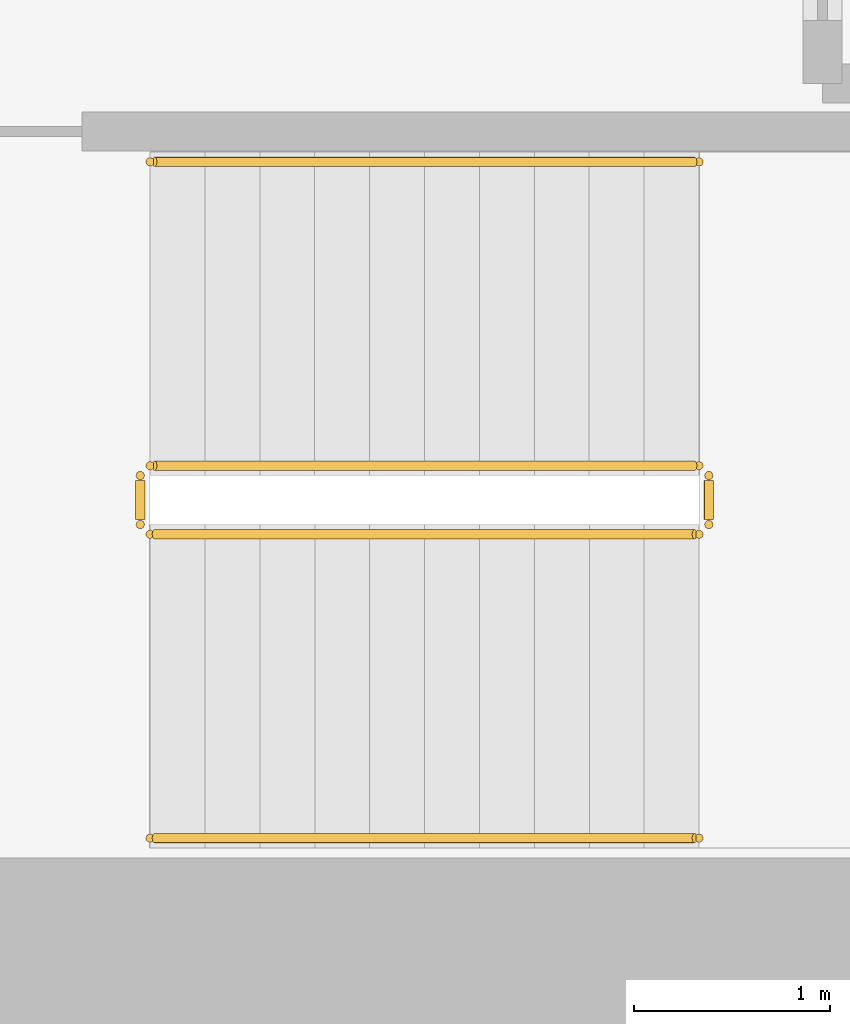
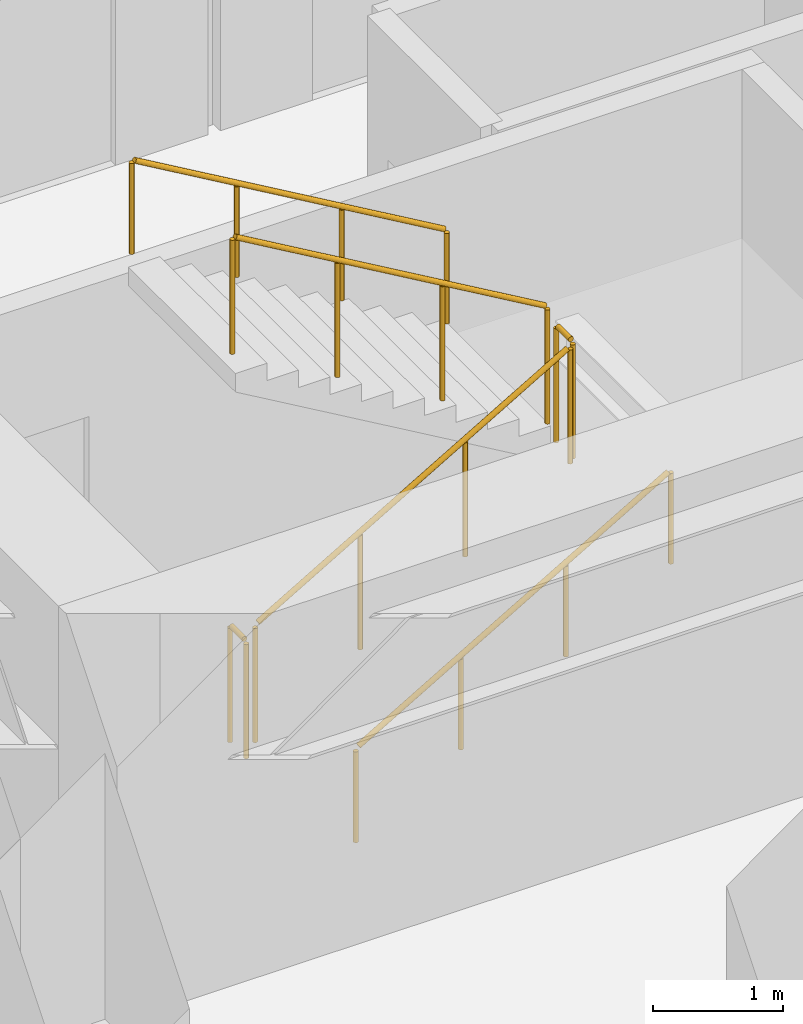
# One storey, part 12 of 12: 6 railings.
"""IFC4 building model written with IfcOpenShell, lengths in metres."""

from ifc_helpers import new_model, si_unit, direction, frame, origin, origin_2d, place, context, subcontext, project, spatial, circle, extrude, source, transform, mapped, material, layer, layer_set, type_object, element, save


model = new_model("IFC4")

# Units and contexts
model_context = context("Model", 3, precision=1e-05, world=origin(), true_north=direction((0.0, 1.0)))
body_context = subcontext(model_context, "Body", "Model", "MODEL_VIEW")
ifc_project = project(units=[si_unit("LENGTHUNIT", "METRE"), si_unit("AREAUNIT", "SQUARE_METRE"), si_unit("VOLUMEUNIT", "CUBIC_METRE"), si_unit("PLANEANGLEUNIT", "RADIAN"), si_unit("MASSUNIT", "GRAM", prefix="KILO")], contexts=[model_context])

# Site, building, storey
site_placement = place(None, origin())
site = spatial("IfcSite", under=ifc_project, at=site_placement, CompositionType="ELEMENT")
building_placement = place(site_placement, origin())
building = spatial("IfcBuilding", under=site, at=building_placement, Name="Kharzan Plaza Tower", CompositionType="ELEMENT")
storey_placement = place(building_placement, frame((0.0, 0.0, 33.300048828125)))
storey = spatial("IfcBuildingStorey", under=building, at=storey_placement, Name="L08", CompositionType="ELEMENT", Elevation=33.300048828125)

# Railings
ifc_material_1 = material(Name="Painted Galvanized Architectural Steel", Category="steel")
ifc_layer_1 = layer(ifc_material_1, 0.074951171875)
ifc_layer_set_1 = layer_set([ifc_layer_1], Name="Painted Galvanized Architectural Steel")
railing_type_1 = type_object("IfcRailingType", Name="RL-GUARD-1120", PredefinedType="BALUSTRADE", material=ifc_layer_set_1)
shared_shape_1 = source(origin(), body_context, "Body", "SweptSolid", [
    extrude(circle(Radius=0.02392578125, at=origin_2d()), frame((0.0, 0.0263671875, 1.09619140625), z_axis=(0.0, 1.0, 0.0), x_axis=(-1.0, 0.0, 0.0)), (0.0, 0.0, 1.0), 0.197021484375),
    extrude(circle(Radius=0.02099609375, at=origin_2d()), origin(), (0.0, 0.0, 1.0), 1.072021484375),
    extrude(circle(Radius=0.02099609375, at=origin_2d()), frame((0.0, 0.25, 0.0)), (0.0, 0.0, 1.0), 1.072021484375),
])
for number, where, name in (
    (1, (41.10009765625, 6.64990234375, 1.800048828125), "L08 ST-3 stair guard 2"),
    (2, (38.199951171875, 6.64990234375, 0.0), "L08 ST-3 stair guard 4"),
):
    element("IfcRailing", number, at=place(storey_placement, frame(where)), inside=storey, type_object=railing_type_1, Name=name, PredefinedType="BALUSTRADE", context=body_context, shape_type="MappedRepresentation", body=[
        mapped(shared_shape_1, transform((0.0, 0.0, 0.0), x_axis=(1.0, 0.0, 0.0), y_axis=(0.0, 1.0, 0.0), z_axis=(0.0, 0.0, 1.0))),
    ])
shared_shape_2 = source(origin(), body_context, "Body", "SweptSolid", [
    extrude(circle(Radius=0.02392578125, at=origin_2d()), frame((0.02294921875, 0.0, 1.109375), z_axis=(0.863360870873, 0.0, 0.504586966384), x_axis=(0.0, 1.0, 0.0)), (0.0, 0.0, 1.0), 3.190185546875),
    extrude(circle(Radius=0.02099609375, at=origin_2d()), origin(), (0.0, 0.0, 1.0), 1.072021484375),
    extrude(circle(Radius=0.02099609375, at=origin_2d()), frame((0.933349609375, 0.0, 0.54541015625)), (0.0, 0.0, 1.0), 1.072021484375),
    extrude(circle(Radius=0.02099609375, at=origin_2d()), frame((1.86669921875, 0.0, 1.091064453125)), (0.0, 0.0, 1.0), 1.072021484375),
    extrude(circle(Radius=0.02099609375, at=origin_2d()), frame((2.800048828125, 0.0, 1.636474609375)), (0.0, 0.0, 1.0), 1.072021484375),
])
railing_1_placement = place(storey_placement, frame((38.25, 6.60009765625, 0.16357421875)))
element("IfcRailing", 3, at=railing_1_placement, inside=storey, type_object=railing_type_1, Name="L08 ST-3 stair guard 1", PredefinedType="BALUSTRADE", context=body_context, shape_type="MappedRepresentation", body=[
    mapped(shared_shape_2, transform((0.0, 0.0, 0.0), x_axis=(1.0, 0.0, 0.0), y_axis=(0.0, 1.0, 0.0), z_axis=(0.0, 0.0, 1.0))),
])
ifc_material_2 = material(Name="Brushed Stainless Steel", Category="steel")
ifc_layer_2 = layer(ifc_material_2, 0.050048828125)
ifc_layer_set_2 = layer_set([ifc_layer_2], Name="Brushed Stainless Steel")
railing_type_2 = type_object("IfcRailingType", Name="RL-STAIR-HR920", PredefinedType="HANDRAIL", material=ifc_layer_set_2)
shared_shape_3 = source(origin(), body_context, "Body", "SweptSolid", [
    extrude(circle(Radius=0.02392578125, at=origin_2d()), frame((0.02294921875, 0.0, 0.88916015625), z_axis=(0.863360870873, 0.0, 0.504586966384), x_axis=(0.0, 1.0, 0.0)), (0.0, 0.0, 1.0), 3.190185546875),
    extrude(circle(Radius=0.02099609375, at=origin_2d()), origin(), (0.0, 0.0, 1.0), 0.851806640625),
    extrude(circle(Radius=0.02099609375, at=origin_2d()), frame((0.933349609375, 0.0, 0.54541015625)), (0.0, 0.0, 1.0), 0.851806640625),
    extrude(circle(Radius=0.02099609375, at=origin_2d()), frame((1.86669921875, 0.0, 1.091064453125)), (0.0, 0.0, 1.0), 0.851806640625),
    extrude(circle(Radius=0.02099609375, at=origin_2d()), frame((2.800048828125, 0.0, 1.636474609375)), (0.0, 0.0, 1.0), 0.851806640625),
])
railing_2_placement = place(storey_placement, frame((38.25, 5.050048828125, 0.16357421875)))
element("IfcRailing", 4, at=railing_2_placement, inside=storey, type_object=railing_type_2, Name="L08 ST-3 stair handrail 1", PredefinedType="HANDRAIL", context=body_context, shape_type="MappedRepresentation", body=[
    mapped(shared_shape_3, transform((0.0, 0.0, 0.0), x_axis=(1.0, 0.0, 0.0), y_axis=(0.0, 1.0, 0.0), z_axis=(0.0, 0.0, 1.0))),
])
shared_shape_4 = source(origin(), body_context, "Body", "SweptSolid", [
    extrude(circle(Radius=0.02392578125, at=origin_2d()), frame((-0.02294921875, 0.0, 1.109375), z_axis=(-0.863393664356, 0.0, 0.504530851732), x_axis=(0.0, -1.0, 0.0)), (0.0, 0.0, 1.0), 3.190185546875),
    extrude(circle(Radius=0.02099609375, at=origin_2d()), origin(), (0.0, 0.0, 1.0), 1.072021484375),
    extrude(circle(Radius=0.02099609375, at=origin_2d()), frame((-0.933349609375, 0.0, 0.54541015625)), (0.0, 0.0, 1.0), 1.072021484375),
    extrude(circle(Radius=0.02099609375, at=origin_2d()), frame((-1.86669921875, 0.0, 1.0908203125)), (0.0, 0.0, 1.0), 1.072021484375),
    extrude(circle(Radius=0.02099609375, at=origin_2d()), frame((-2.800048828125, 0.0, 1.63623046875)), (0.0, 0.0, 1.0), 1.072021484375),
])
railing_3_placement = place(storey_placement, frame((41.050048828125, 6.949951171875, 1.963623046875)))
element("IfcRailing", 5, at=railing_3_placement, inside=storey, type_object=railing_type_1, Name="L08 ST-3 stair guard 3", PredefinedType="BALUSTRADE", context=body_context, shape_type="MappedRepresentation", body=[
    mapped(shared_shape_4, transform((0.0, 0.0, 0.0), x_axis=(1.0, 0.0, 0.0), y_axis=(0.0, 1.0, 0.0), z_axis=(0.0, 0.0, 1.0))),
])
shared_shape_5 = source(origin(), body_context, "Body", "SweptSolid", [
    extrude(circle(Radius=0.02392578125, at=origin_2d()), frame((-0.02294921875, 0.0, 0.88916015625), z_axis=(-0.863393664356, 0.0, 0.504530851732), x_axis=(0.0, -1.0, 0.0)), (0.0, 0.0, 1.0), 3.190185546875),
    extrude(circle(Radius=0.02099609375, at=origin_2d()), origin(), (0.0, 0.0, 1.0), 0.851806640625),
    extrude(circle(Radius=0.02099609375, at=origin_2d()), frame((-0.933349609375, 0.0, 0.54541015625)), (0.0, 0.0, 1.0), 0.851806640625),
    extrude(circle(Radius=0.02099609375, at=origin_2d()), frame((-1.86669921875, 0.0, 1.0908203125)), (0.0, 0.0, 1.0), 0.851806640625),
    extrude(circle(Radius=0.02099609375, at=origin_2d()), frame((-2.800048828125, 0.0, 1.63623046875)), (0.0, 0.0, 1.0), 0.851806640625),
])
railing_4_placement = place(storey_placement, frame((41.050048828125, 8.5, 1.963623046875)))
element("IfcRailing", 6, at=railing_4_placement, inside=storey, type_object=railing_type_2, Name="L08 ST-3 stair handrail 2", PredefinedType="HANDRAIL", context=body_context, shape_type="MappedRepresentation", body=[
    mapped(shared_shape_5, transform((0.0, 0.0, 0.0), x_axis=(1.0, 0.0, 0.0), y_axis=(0.0, 1.0, 0.0), z_axis=(0.0, 0.0, 1.0))),
])

save(model, "model.ifc")
